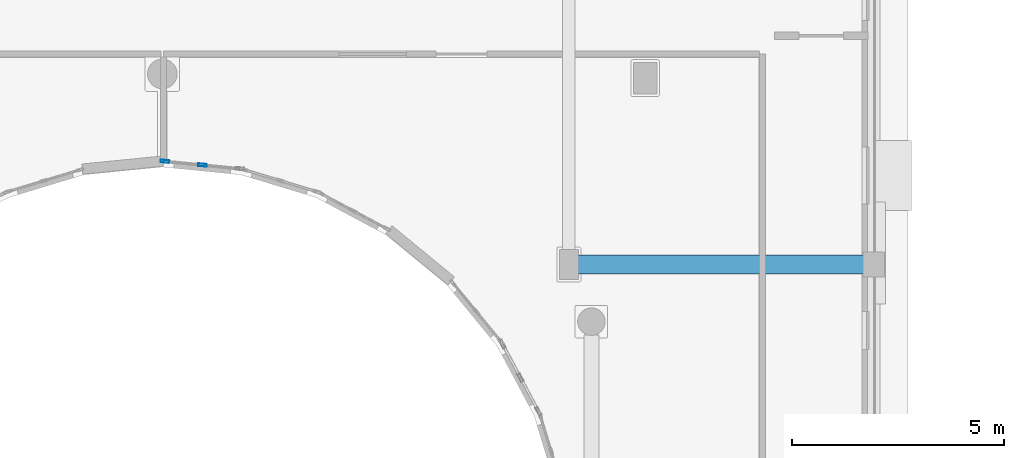
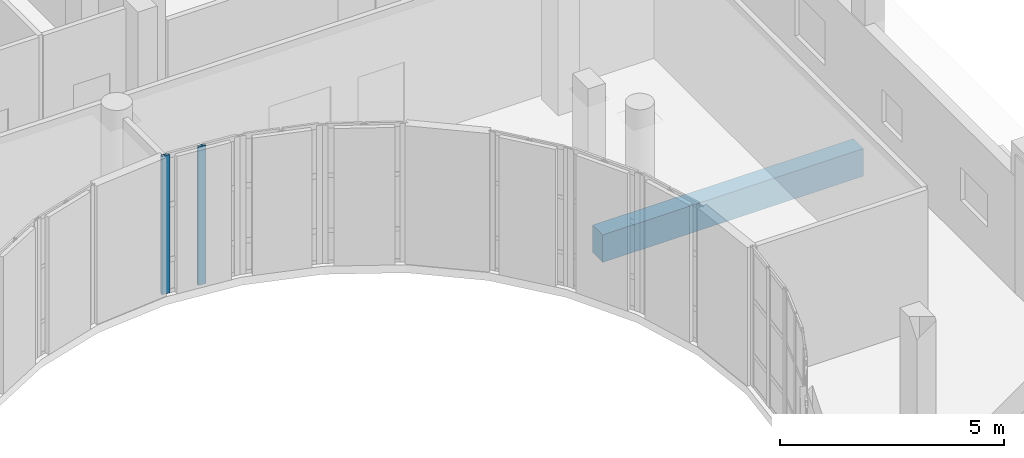
# One storey, part 42 of 89: 2 members, 1 beam, 1 element without a shape of its own.
"""IFC4 building model written with IfcOpenShell, lengths in metres."""

from ifc_helpers import new_model, si_unit, direction, frame, origin, origin_2d, place, context, subcontext, project, spatial, rectangle, hollow_rectangle, extrude, material, layer, layer_set, material_profile, profile_set, type_object, element, aggregate, save


model = new_model("IFC4")

# Units and contexts
model_context = context("Model", 3, precision=1e-05, world=origin(), true_north=direction((0.0, 1.0)))
body_context = subcontext(model_context, "Body", "Model", "MODEL_VIEW")
ifc_project = project(units=[si_unit("LENGTHUNIT", "METRE"), si_unit("AREAUNIT", "SQUARE_METRE"), si_unit("VOLUMEUNIT", "CUBIC_METRE"), si_unit("PLANEANGLEUNIT", "RADIAN"), si_unit("MASSUNIT", "GRAM", prefix="KILO")], contexts=[model_context])

# Site, building, storey
site_placement = place(None, origin())
site = spatial("IfcSite", under=ifc_project, at=site_placement, CompositionType="ELEMENT")
building_placement = place(site_placement, origin())
building = spatial("IfcBuilding", under=site, at=building_placement, Name="Kelanivale Promenade Academy", CompositionType="ELEMENT")
storey_placement = place(building_placement, frame((0.0, 0.0, 12.199951171875)))
storey = spatial("IfcBuildingStorey", under=building, at=storey_placement, Name="L03", CompositionType="ELEMENT", Elevation=12.199951171875)

# Beam
ifc_material_1 = material(Name="Concrete C35/45", Category="concrete")
ifc_material_profile_1 = material_profile(ifc_material_1, rectangle(XDim=0.449951171875, YDim=0.75, at=origin_2d()), Name="RC-BM 450x750")
ifc_profile_set_1 = profile_set([ifc_material_profile_1], Name="Concrete C35/45")
beam_type = type_object("IfcBeamType", Name="BM-04 RC-BM 450x750", PredefinedType="BEAM", material=ifc_profile_set_1)
beam_placement = place(storey_placement, frame((108.6201171875, 64.0, -0.594970703125), z_axis=(1.0, 0.0, 0.0), x_axis=(0.0, 1.0, 0.0)))
element("IfcBeam", 1, at=beam_placement, inside=storey, type_object=beam_type, Name="L03 girder BM-04", PredefinedType="BEAM", context=body_context, shape_type="SweptSolid", body=[
    extrude(rectangle(XDim=0.449951171875, YDim=0.75, at=origin_2d()), origin(), (0.0, 0.0, 1.0), 6.73486328125),
])

# Curtain wall, members
ifc_material_2 = material(Name="Bronze anodised aluminium and solar-control low-E glass", Category="aluminium")
ifc_layer = layer(ifc_material_2, 0.169921875)
ifc_layer_set = layer_set([ifc_layer], Name="Bronze anodised aluminium and solar-control low-E glass")
curtain_wall_type = type_object("IfcCurtainWallType", Name="CW-16 Curtain Wall 1800mm Module", PredefinedType="USERDEFINED", material=ifc_layer_set)
curtain_wall_placement = place(storey_placement, origin())
curtain_wall = element("IfcCurtainWall", 2, at=curtain_wall_placement, inside=storey, type_object=curtain_wall_type, Name="L03 courtyard curtain wall CW-16", ObjectType="COURTYARD SCREEN GLAZING", PredefinedType="USERDEFINED")
ifc_material_3 = material(Name="Bronze anodised aluminium EN AW-6063 T6", Category="aluminium")
ifc_material_profile_2 = material_profile(ifc_material_3, hollow_rectangle(XDim=0.06494140625, YDim=0.199951171875, WallThickness=0.00439453125, at=origin_2d()), Name="ALU 65x200x4.5")
ifc_profile_set_2 = profile_set([ifc_material_profile_2], Name="Bronze anodised aluminium EN AW-6063 T6")
member_type = type_object("IfcMemberType", Name="CWM-04 ALU 65x200x4.5", PredefinedType="MULLION", material=ifc_profile_set_2)
member_1_placement = place(storey_placement, frame((99.748046875, 66.346923828125, 0.0), z_axis=(0.0, 0.0, 1.0), x_axis=(-0.098538762159, -0.99513321337, 0.0)))
member_1 = element("IfcMember", 3, at=member_1_placement, type_object=member_type, Name="CW-16 mullion 2", PredefinedType="MULLION", context=body_context, shape_type="SweptSolid", body=[
    extrude(hollow_rectangle(XDim=0.06494140625, YDim=0.199951171875, WallThickness=0.00439453125, at=origin_2d()), origin(), (0.0, 0.0, 1.0), 3.780029296875),
])
member_2_placement = place(storey_placement, frame((98.861328125, 66.434814453125, 0.0), z_axis=(0.0, 0.0, 1.0), x_axis=(-0.098538762159, -0.99513321337, 0.0)))
member_2 = element("IfcMember", 4, at=member_2_placement, type_object=member_type, Name="CW-16 mullion 3", PredefinedType="MULLION", context=body_context, shape_type="SweptSolid", body=[
    extrude(hollow_rectangle(XDim=0.06494140625, YDim=0.199951171875, WallThickness=0.00439453125, at=origin_2d()), origin(), (0.0, 0.0, 1.0), 3.780029296875),
])
aggregate(curtain_wall, [member_1, member_2])

save(model, "model.ifc")
